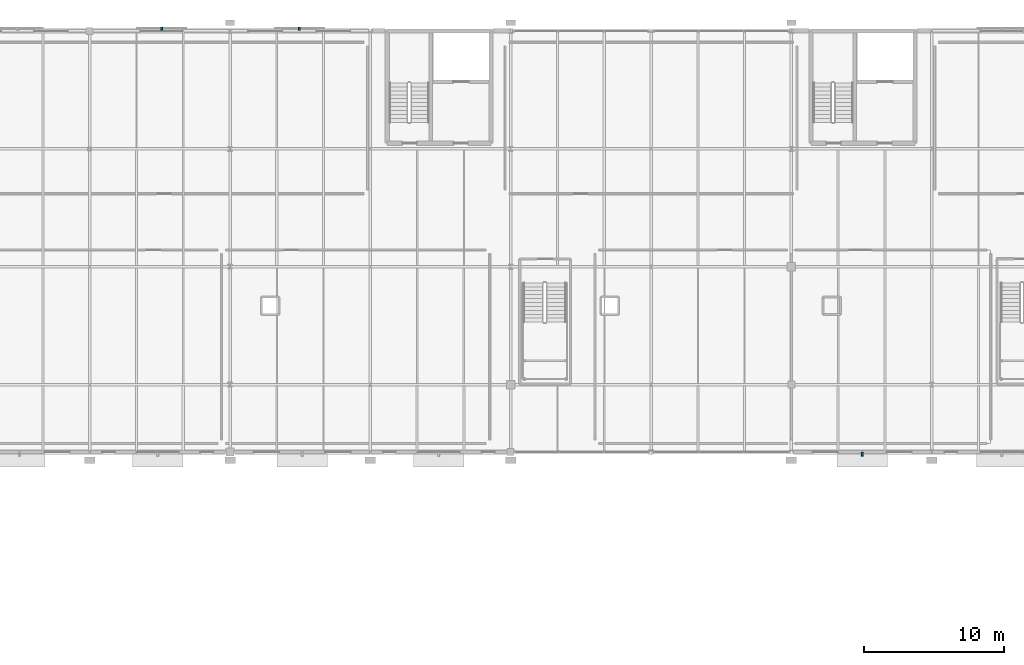
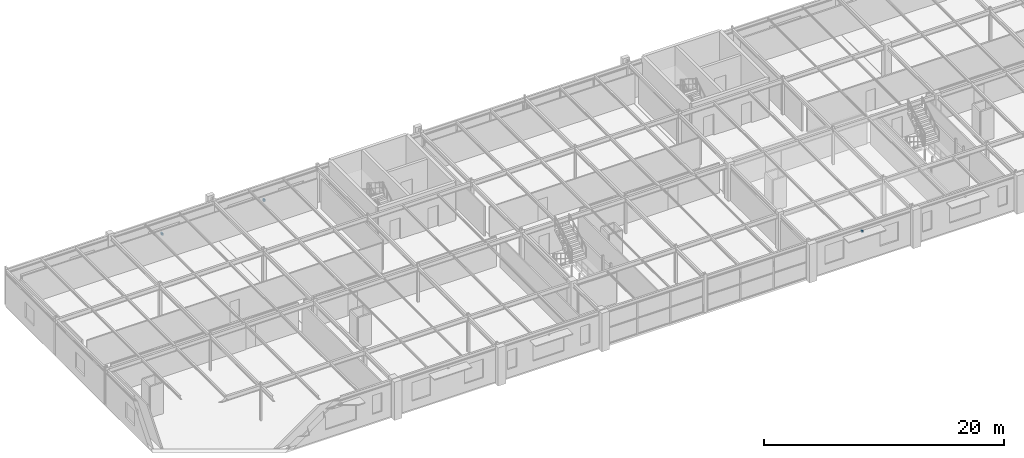
# One storey, part 86 of 98: 3 discrete accessories.
"""IFC4 building model written with IfcOpenShell, lengths in metres."""

from ifc_helpers import new_model, si_unit, derived_unit, direction, frame, origin, origin_2d_with_axis, place, context, subcontext, project, spatial, rectangle, extrude, material, type_object, element, save


model = new_model("IFC4")

# Units and contexts
model_context = context("Model", 3, precision=1e-05, world=origin(), true_north=direction((0.0, 1.0)))
body_context = subcontext(model_context, "Body", "Model", "MODEL_VIEW")
ifc_project = project(units=[si_unit("LENGTHUNIT", "METRE"), si_unit("AREAUNIT", "SQUARE_METRE"), si_unit("VOLUMEUNIT", "CUBIC_METRE"), si_unit("PLANEANGLEUNIT", "RADIAN"), si_unit("MASSUNIT", "GRAM", prefix="KILO"), derived_unit("THERMALTRANSMITTANCEUNIT", [(si_unit("POWERUNIT", "WATT"), 1), (si_unit("LENGTHUNIT", "METRE"), -2), (si_unit("THERMODYNAMICTEMPERATUREUNIT", "KELVIN"), -1)])], contexts=[model_context])

# Site, building, storey
site_placement = place(None, origin())
site = spatial("IfcSite", under=ifc_project, at=site_placement, CompositionType="ELEMENT")
building_placement = place(site_placement, origin())
building = spatial("IfcBuilding", under=site, at=building_placement, Name="Cinnabar Yard Market Hall", CompositionType="ELEMENT")
storey_placement = place(building_placement, frame((0.0, 0.0, 4.5)))
storey = spatial("IfcBuildingStorey", under=building, at=storey_placement, Name="L01", CompositionType="ELEMENT", Elevation=4.5)

# Discrete accessories
ifc_material = material(Name="Galvanised steel Grade 350 (350 MPa)", Category="steel")
discrete_accessory_type = type_object("IfcDiscreteAccessoryType", Name="ACC-BRK1", PredefinedType="BRACKET", material=ifc_material)
for number, where, z_axis, x_axis, name in (
    (1, (81.1220703125, 138.159912109375, 1.740234375), (0.0, 0.0, 1.0), (1.0, 0.0, 0.0), "Jali Bracket V3N-L01-2"),
    (2, (90.939697265625, 138.159912109375, 1.740234375), (0.0, 0.0, 1.0), (1.0, 0.0, 0.0), "Jali Bracket V3N-L01-3"),
):
    element("IfcDiscreteAccessory", number, at=place(storey_placement, frame(where, z_axis=z_axis, x_axis=x_axis)), inside=storey, type_object=discrete_accessory_type, Name=name, PredefinedType="BRACKET", context=body_context, shape_type="SweptSolid", body=[
        extrude(rectangle(XDim=0.139892578125, YDim=0.239990234375, at=origin_2d_with_axis()), origin(), (0.0, 0.0, 1.0), 0.219970703125),
    ])
discrete_accessory_placement = place(storey_placement, frame((131.060302734375, 107.840087890625, 2.89990234375), z_axis=(0.0, 0.0, 1.0), x_axis=(1.0, 0.0, 0.0)))
element("IfcDiscreteAccessory", 3, at=discrete_accessory_placement, inside=storey, type_object=discrete_accessory_type, Name="Chhajja Bracket V3S-L01-7", PredefinedType="BRACKET", context=body_context, shape_type="SweptSolid", body=[
    extrude(rectangle(XDim=0.139892578125, YDim=0.280029296875, at=origin_2d_with_axis()), origin(), (0.0, 0.0, 1.0), 0.219970703125),
])

save(model, "model.ifc")
